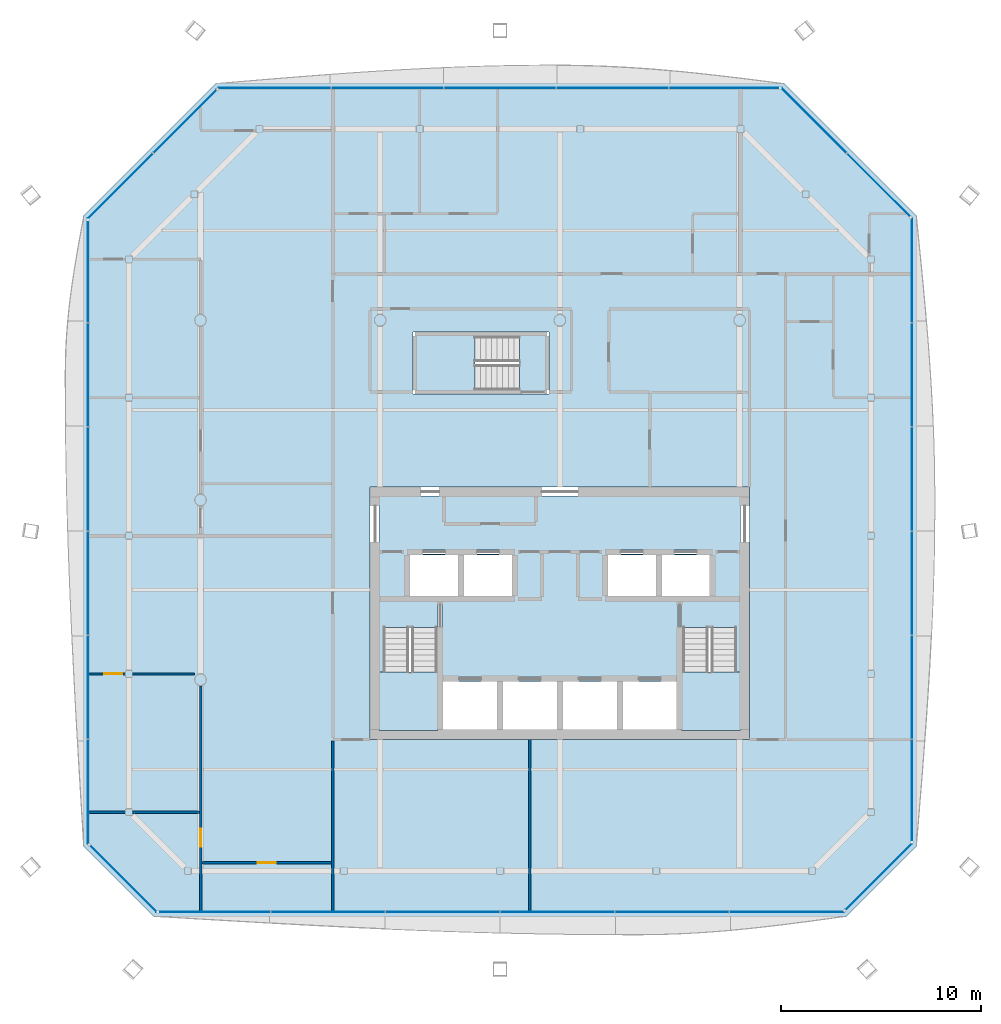
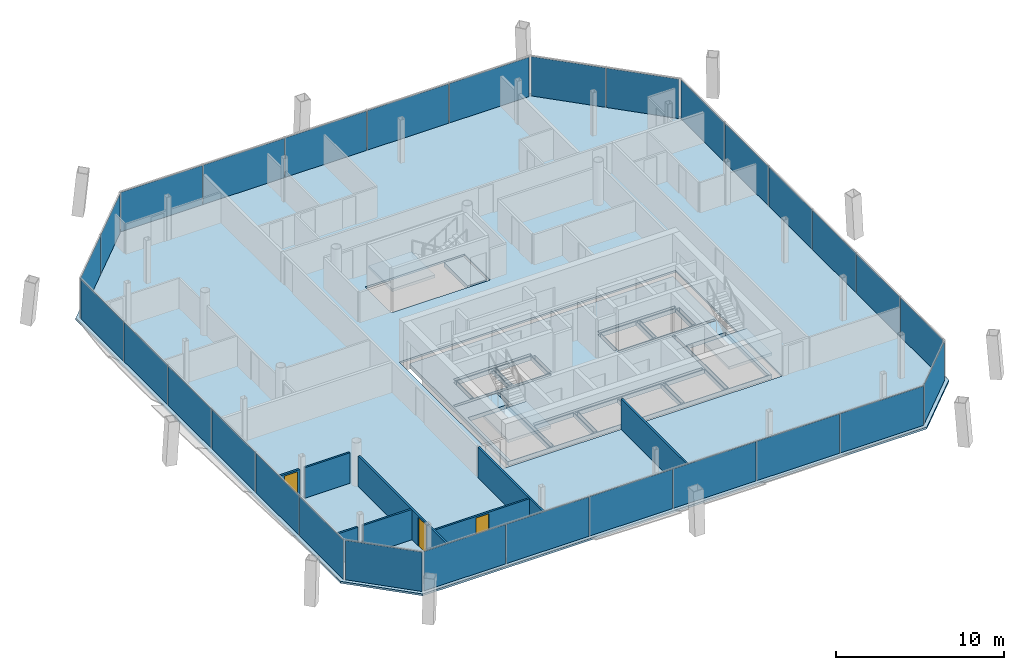
# One storey, part 13 of 20: 29 plates, 8 walls, 6 slabs, 3 doors, 3 openings, 11 elements without a shape of their own.
"""IFC4 building model written with IfcOpenShell, lengths in metres."""

from ifc_helpers import new_model, si_unit, direction, frame, frame_2d, origin, origin_2d, place, context, subcontext, project, spatial, polyline, rectangle, outline, extrude, material, layer, layer_set, type_object, element, fill, aggregate, save


model = new_model("IFC4")

# Units and contexts
model_context = context("Model", 3, precision=1e-05, world=origin(), true_north=direction((0.0, 1.0)))
body_context = subcontext(model_context, "Body", "Model", "MODEL_VIEW")
ifc_project = project(units=[si_unit("LENGTHUNIT", "METRE"), si_unit("AREAUNIT", "SQUARE_METRE"), si_unit("VOLUMEUNIT", "CUBIC_METRE"), si_unit("PLANEANGLEUNIT", "RADIAN"), si_unit("MASSUNIT", "GRAM", prefix="KILO")], contexts=[model_context])

# Site, building, storey
site_placement = place(None, origin())
site = spatial("IfcSite", under=ifc_project, at=site_placement, CompositionType="ELEMENT")
building_placement = place(site_placement, origin())
building = spatial("IfcBuilding", under=site, at=building_placement, Name="Tskaro Facet Tower", CompositionType="ELEMENT")
storey_placement = place(building_placement, frame((0.0, 0.0, 184.800048828125)))
storey = spatial("IfcBuildingStorey", under=building, at=storey_placement, Name="L46", CompositionType="ELEMENT", Elevation=184.800048828125)

# Slab
ifc_material_1 = material(Name="Concrete C30/37", Category="concrete")
ifc_layer_1 = layer(ifc_material_1, 0.139892578125, Name="Concrete C30/37")
ifc_layer_set_1 = layer_set([ifc_layer_1], Name="Concrete C30/37")
slab_type_1 = type_object("IfcSlabType", Name="Composite deck floor slab", PredefinedType="FLOOR", material=ifc_layer_set_1)
slab_1_placement = place(storey_placement, frame((0.0, 0.0, -0.14013671875)))
element("IfcSlab", 1, at=slab_1_placement, inside=storey, type_object=slab_type_1, Name="Floor slab FS3 L46", PredefinedType="FLOOR", context=body_context, shape_type="SweptSolid", body=[
    extrude(outline(polyline([(-20.31298828125, -20.8779296875), (14.31298828125, -20.8779296875), (17.8779296875, -17.31298828125), (17.8779296875, 14.2041015625), (11.2041015625, 20.8779296875), (-17.2041015625, 20.8779296875), (-23.8779296875, 14.2041015625), (-23.8779296875, -17.31298828125), (-20.31298828125, -20.8779296875)]), holes=[polyline([(-9.5, -12.0), (9.5, -12.0), (9.5, 0.64990234375), (-9.5, 0.64990234375), (-9.5, -12.0)]), polyline([(-7.35009765625, 5.300048828125), (-0.550048828125, 5.300048828125), (-0.550048828125, 8.39990234375), (-7.35009765625, 8.39990234375), (-7.35009765625, 5.300048828125)])]), origin(), (0.0, 0.0, 1.0), 0.14013671875),
])

# Curtain wall, plates
ifc_material_2 = material(Name="Bronze anodised aluminium 6063-T6", Category="aluminium")
curtain_wall_type = type_object("IfcCurtainWallType", Name="Bronze residence curtain wall (FW3)", PredefinedType="NOTDEFINED", material=ifc_material_2)
curtain_wall_1_placement = place(storey_placement, origin())
curtain_wall_1 = element("IfcCurtainWall", 2, at=curtain_wall_1_placement, inside=storey, type_object=curtain_wall_type, Name="FW3 south facet L46", PredefinedType="NOTDEFINED")
ifc_material_3 = material(Name="Bronze low-iron glass", Category="glass")
ifc_layer_2 = layer(ifc_material_3, 0.028076171875, Name="Bronze low-iron glass")
ifc_layer_set_2 = layer_set([ifc_layer_2], Name="Bronze low-iron glass")
plate_type = type_object("IfcPlateType", Name="FW3 bronze-tinted unit glazing 28", PredefinedType="CURTAIN_PANEL", material=ifc_layer_set_2)
plate_1_placement = place(storey_placement, frame((-17.283447265625, -20.6279296875, 0.0), z_axis=(0.0, 0.0, 1.0), x_axis=(1.0, 0.0, 0.0)))
plate_1 = element("IfcPlate", 3, at=plate_1_placement, type_object=plate_type, Name="FW3 south glazing 1.1", PredefinedType="CURTAIN_PANEL", context=body_context, shape_type="SweptSolid", body=[
    extrude(rectangle(XDim=5.5712890625, YDim=0.028076171875, at=origin_2d()), origin(), (0.0, 0.0, 1.0), 2.860107421875),
])
plate_2_placement = place(storey_placement, frame((-11.6044921875, -20.6279296875, 0.0), z_axis=(0.0, 0.0, 1.0), x_axis=(1.0, 0.0, 0.0)))
plate_2 = element("IfcPlate", 4, at=plate_2_placement, type_object=plate_type, Name="FW3 south glazing 2.1", PredefinedType="CURTAIN_PANEL", context=body_context, shape_type="SweptSolid", body=[
    extrude(rectangle(XDim=5.686279296875, YDim=0.028076171875, at=origin_2d()), origin(), (0.0, 0.0, 1.0), 2.860107421875),
])
plate_3_placement = place(storey_placement, frame((-5.8681640625, -20.6279296875, 0.0), z_axis=(0.0, 0.0, 1.0), x_axis=(1.0, 0.0, 0.0)))
plate_3 = element("IfcPlate", 5, at=plate_3_placement, type_object=plate_type, Name="FW3 south glazing 3.1", PredefinedType="CURTAIN_PANEL", context=body_context, shape_type="SweptSolid", body=[
    extrude(rectangle(XDim=5.686279296875, YDim=0.028076171875, at=origin_2d()), origin(), (0.0, 0.0, 1.0), 2.860107421875),
])
plate_4_placement = place(storey_placement, frame((-0.1318359375, -20.6279296875, 0.0), z_axis=(0.0, 0.0, 1.0), x_axis=(1.0, 0.0, 0.0)))
plate_4 = element("IfcPlate", 6, at=plate_4_placement, type_object=plate_type, Name="FW3 south glazing 4.1", PredefinedType="CURTAIN_PANEL", context=body_context, shape_type="SweptSolid", body=[
    extrude(rectangle(XDim=5.686279296875, YDim=0.028076171875, at=origin_2d()), origin(), (0.0, 0.0, 1.0), 2.860107421875),
])
plate_5_placement = place(storey_placement, frame((5.6044921875, -20.6279296875, 0.0), z_axis=(0.0, 0.0, 1.0), x_axis=(1.0, 0.0, 0.0)))
plate_5 = element("IfcPlate", 7, at=plate_5_placement, type_object=plate_type, Name="FW3 south glazing 5.1", PredefinedType="CURTAIN_PANEL", context=body_context, shape_type="SweptSolid", body=[
    extrude(rectangle(XDim=5.686279296875, YDim=0.028076171875, at=origin_2d()), origin(), (0.0, 0.0, 1.0), 2.860107421875),
])
plate_6_placement = place(storey_placement, frame((11.353271484375, -20.6279296875, 0.0), z_axis=(0.0, 0.0, 1.0), x_axis=(1.0, 0.0, 0.0)))
plate_6 = element("IfcPlate", 8, at=plate_6_placement, type_object=plate_type, Name="FW3 south glazing 6.1", PredefinedType="CURTAIN_PANEL", context=body_context, shape_type="SweptSolid", body=[
    extrude(rectangle(XDim=5.71142578125, YDim=0.028076171875, at=origin_2d()), origin(), (0.0, 0.0, 1.0), 2.860107421875),
])
aggregate(curtain_wall_1, [plate_1, plate_2, plate_3, plate_4, plate_5, plate_6])

# Curtain wall, plate
curtain_wall_2_placement = place(storey_placement, origin())
curtain_wall_2 = element("IfcCurtainWall", 9, at=curtain_wall_2_placement, inside=storey, type_object=curtain_wall_type, Name="FW3 south-east facet L46", PredefinedType="NOTDEFINED")
plate_7_placement = place(storey_placement, frame((15.968017578125, -18.868896484375, 0.0), z_axis=(0.0, 0.0, 1.0), x_axis=(0.707106781187, 0.707106781187, 0.0)))
plate_7 = element("IfcPlate", 10, at=plate_7_placement, type_object=plate_type, Name="FW3 south-east glazing 1.1", PredefinedType="CURTAIN_PANEL", context=body_context, shape_type="SweptSolid", body=[
    extrude(rectangle(XDim=4.6953125, YDim=0.028076171875, at=origin_2d()), origin(), (0.0, 0.0, 1.0), 2.860107421875),
])
aggregate(curtain_wall_2, [plate_7])

# Curtain wall, plates
curtain_wall_3_placement = place(storey_placement, origin())
curtain_wall_3 = element("IfcCurtainWall", 11, at=curtain_wall_3_placement, inside=storey, type_object=curtain_wall_type, Name="FW3 east facet L46", PredefinedType="NOTDEFINED")
plate_8_placement = place(storey_placement, frame((17.6279296875, -14.54248046875, 0.0), z_axis=(0.0, 0.0, 1.0), x_axis=(0.0, 1.0, 0.0)))
plate_8 = element("IfcPlate", 12, at=plate_8_placement, type_object=plate_type, Name="FW3 east glazing 1.1", PredefinedType="CURTAIN_PANEL", context=body_context, shape_type="SweptSolid", body=[
    extrude(rectangle(XDim=5.05322265625, YDim=0.028076171875, at=origin_2d()), origin(), (0.0, 0.0, 1.0), 2.860107421875),
])
plate_9_placement = place(storey_placement, frame((17.6279296875, -9.3818359375, 0.0), z_axis=(0.0, 0.0, 1.0), x_axis=(0.0, 1.0, 0.0)))
plate_9 = element("IfcPlate", 13, at=plate_9_placement, type_object=plate_type, Name="FW3 east glazing 2.1", PredefinedType="CURTAIN_PANEL", context=body_context, shape_type="SweptSolid", body=[
    extrude(rectangle(XDim=5.168212890625, YDim=0.028076171875, at=origin_2d()), origin(), (0.0, 0.0, 1.0), 2.860107421875),
])
plate_10_placement = place(storey_placement, frame((17.6279296875, -4.16357421875, 0.0), z_axis=(0.0, 0.0, 1.0), x_axis=(0.0, 1.0, 0.0)))
plate_10 = element("IfcPlate", 14, at=plate_10_placement, type_object=plate_type, Name="FW3 east glazing 3.1", PredefinedType="CURTAIN_PANEL", context=body_context, shape_type="SweptSolid", body=[
    extrude(rectangle(XDim=5.168212890625, YDim=0.028076171875, at=origin_2d()), origin(), (0.0, 0.0, 1.0), 2.860107421875),
])
plate_11_placement = place(storey_placement, frame((17.6279296875, 1.0546875, 0.0), z_axis=(0.0, 0.0, 1.0), x_axis=(0.0, 1.0, 0.0)))
plate_11 = element("IfcPlate", 15, at=plate_11_placement, type_object=plate_type, Name="FW3 east glazing 4.1", PredefinedType="CURTAIN_PANEL", context=body_context, shape_type="SweptSolid", body=[
    extrude(rectangle(XDim=5.168212890625, YDim=0.028076171875, at=origin_2d()), origin(), (0.0, 0.0, 1.0), 2.860107421875),
])
plate_12_placement = place(storey_placement, frame((17.6279296875, 6.272705078125, 0.0), z_axis=(0.0, 0.0, 1.0), x_axis=(0.0, 1.0, 0.0)))
plate_12 = element("IfcPlate", 16, at=plate_12_placement, type_object=plate_type, Name="FW3 east glazing 5.1", PredefinedType="CURTAIN_PANEL", context=body_context, shape_type="SweptSolid", body=[
    extrude(rectangle(XDim=5.168212890625, YDim=0.028076171875, at=origin_2d()), origin(), (0.0, 0.0, 1.0), 2.860107421875),
])
plate_13_placement = place(storey_placement, frame((17.6279296875, 11.50341796875, 0.0), z_axis=(0.0, 0.0, 1.0), x_axis=(0.0, 1.0, 0.0)))
plate_13 = element("IfcPlate", 17, at=plate_13_placement, type_object=plate_type, Name="FW3 east glazing 6.1", PredefinedType="CURTAIN_PANEL", context=body_context, shape_type="SweptSolid", body=[
    extrude(rectangle(XDim=5.193115234375, YDim=0.028076171875, at=origin_2d()), origin(), (0.0, 0.0, 1.0), 2.860107421875),
])
aggregate(curtain_wall_3, [plate_8, plate_9, plate_10, plate_11, plate_12, plate_13])

curtain_wall_4_placement = place(storey_placement, origin())
curtain_wall_4 = element("IfcCurtainWall", 18, at=curtain_wall_4_placement, inside=storey, type_object=curtain_wall_type, Name="FW3 north-east facet L46", PredefinedType="NOTDEFINED")
plate_14_placement = place(storey_placement, frame((15.955322265625, 15.772705078125, 0.0), z_axis=(0.0, 0.0, 1.0), x_axis=(-0.707106781187, 0.707106781187, 0.0)))
plate_14 = element("IfcPlate", 19, at=plate_14_placement, type_object=plate_type, Name="FW3 north-east glazing 1.1", PredefinedType="CURTAIN_PANEL", context=body_context, shape_type="SweptSolid", body=[
    extrude(rectangle(XDim=4.450927734375, YDim=0.028076171875, at=origin_2d()), origin(), (0.0, 0.0, 1.0), 2.860107421875),
])
plate_15_placement = place(storey_placement, frame((12.72314453125, 19.0048828125, 0.0), z_axis=(0.0, 0.0, 1.0), x_axis=(-0.707106781187, 0.707106781187, 0.0)))
plate_15 = element("IfcPlate", 20, at=plate_15_placement, type_object=plate_type, Name="FW3 north-east glazing 2.1", PredefinedType="CURTAIN_PANEL", context=body_context, shape_type="SweptSolid", body=[
    extrude(rectangle(XDim=4.591064453125, YDim=0.028076171875, at=origin_2d()), origin(), (0.0, 0.0, 1.0), 2.860107421875),
])
aggregate(curtain_wall_4, [plate_14, plate_15])

curtain_wall_5_placement = place(storey_placement, origin())
curtain_wall_5 = element("IfcCurtainWall", 21, at=curtain_wall_5_placement, inside=storey, type_object=curtain_wall_type, Name="FW3 north facet L46", PredefinedType="NOTDEFINED")
plate_16_placement = place(storey_placement, frame((8.222412109375, 20.6279296875, 0.0), z_axis=(0.0, 0.0, 1.0), x_axis=(-1.0, 0.0, 0.0)))
plate_16 = element("IfcPlate", 22, at=plate_16_placement, type_object=plate_type, Name="FW3 north glazing 1.1", PredefinedType="CURTAIN_PANEL", context=body_context, shape_type="SweptSolid", body=[
    extrude(rectangle(XDim=5.47509765625, YDim=0.028076171875, at=origin_2d()), origin(), (0.0, 0.0, 1.0), 2.860107421875),
])
plate_17_placement = place(storey_placement, frame((2.639892578125, 20.6279296875, 0.0), z_axis=(0.0, 0.0, 1.0), x_axis=(-1.0, 0.0, 0.0)))
plate_17 = element("IfcPlate", 23, at=plate_17_placement, type_object=plate_type, Name="FW3 north glazing 2.1", PredefinedType="CURTAIN_PANEL", context=body_context, shape_type="SweptSolid", body=[
    extrude(rectangle(XDim=5.590087890625, YDim=0.028076171875, at=origin_2d()), origin(), (0.0, 0.0, 1.0), 2.860107421875),
])
plate_18_placement = place(storey_placement, frame((-3.0, 20.6279296875, 0.0), z_axis=(0.0, 0.0, 1.0), x_axis=(-1.0, 0.0, 0.0)))
plate_18 = element("IfcPlate", 24, at=plate_18_placement, type_object=plate_type, Name="FW3 north glazing 3.1", PredefinedType="CURTAIN_PANEL", context=body_context, shape_type="SweptSolid", body=[
    extrude(rectangle(XDim=5.590087890625, YDim=0.028076171875, at=origin_2d()), origin(), (0.0, 0.0, 1.0), 2.860107421875),
])
plate_19_placement = place(storey_placement, frame((-8.639892578125, 20.6279296875, 0.0), z_axis=(0.0, 0.0, 1.0), x_axis=(-1.0, 0.0, 0.0)))
plate_19 = element("IfcPlate", 25, at=plate_19_placement, type_object=plate_type, Name="FW3 north glazing 4.1", PredefinedType="CURTAIN_PANEL", context=body_context, shape_type="SweptSolid", body=[
    extrude(rectangle(XDim=5.590087890625, YDim=0.028076171875, at=origin_2d()), origin(), (0.0, 0.0, 1.0), 2.860107421875),
])
plate_20_placement = place(storey_placement, frame((-14.29248046875, 20.6279296875, 0.0), z_axis=(0.0, 0.0, 1.0), x_axis=(-1.0, 0.0, 0.0)))
plate_20 = element("IfcPlate", 26, at=plate_20_placement, type_object=plate_type, Name="FW3 north glazing 5.1", PredefinedType="CURTAIN_PANEL", context=body_context, shape_type="SweptSolid", body=[
    extrude(rectangle(XDim=5.614990234375, YDim=0.028076171875, at=origin_2d()), origin(), (0.0, 0.0, 1.0), 2.860107421875),
])
aggregate(curtain_wall_5, [plate_16, plate_17, plate_18, plate_19, plate_20])

curtain_wall_6_placement = place(storey_placement, origin())
curtain_wall_6 = element("IfcCurtainWall", 27, at=curtain_wall_6_placement, inside=storey, type_object=curtain_wall_type, Name="FW3 north-west facet L46", PredefinedType="NOTDEFINED")
plate_21_placement = place(storey_placement, frame((-18.772705078125, 18.955322265625, 0.0), z_axis=(0.0, 0.0, 1.0), x_axis=(-0.707106781187, -0.707106781187, 0.0)))
plate_21 = element("IfcPlate", 28, at=plate_21_placement, type_object=plate_type, Name="FW3 north-west glazing 1.1", PredefinedType="CURTAIN_PANEL", context=body_context, shape_type="SweptSolid", body=[
    extrude(rectangle(XDim=4.450927734375, YDim=0.028076171875, at=origin_2d()), origin(), (0.0, 0.0, 1.0), 2.860107421875),
])
plate_22_placement = place(storey_placement, frame((-22.0048828125, 15.72314453125, 0.0), z_axis=(0.0, 0.0, 1.0), x_axis=(-0.707106781187, -0.707106781187, 0.0)))
plate_22 = element("IfcPlate", 29, at=plate_22_placement, type_object=plate_type, Name="FW3 north-west glazing 2.1", PredefinedType="CURTAIN_PANEL", context=body_context, shape_type="SweptSolid", body=[
    extrude(rectangle(XDim=4.591064453125, YDim=0.028076171875, at=origin_2d()), origin(), (0.0, 0.0, 1.0), 2.860107421875),
])
aggregate(curtain_wall_6, [plate_21, plate_22])

curtain_wall_7_placement = place(storey_placement, origin())
curtain_wall_7 = element("IfcCurtainWall", 30, at=curtain_wall_7_placement, inside=storey, type_object=curtain_wall_type, Name="FW3 west facet L46", PredefinedType="NOTDEFINED")
plate_23_placement = place(storey_placement, frame((-23.6279296875, 11.433349609375, 0.0), z_axis=(0.0, 0.0, 1.0), x_axis=(0.0, -1.0, 0.0)))
plate_23 = element("IfcPlate", 31, at=plate_23_placement, type_object=plate_type, Name="FW3 west glazing 1.1", PredefinedType="CURTAIN_PANEL", context=body_context, shape_type="SweptSolid", body=[
    extrude(rectangle(XDim=5.05322265625, YDim=0.028076171875, at=origin_2d()), origin(), (0.0, 0.0, 1.0), 2.860107421875),
])
plate_24_placement = place(storey_placement, frame((-23.6279296875, 6.272705078125, 0.0), z_axis=(0.0, 0.0, 1.0), x_axis=(0.0, -1.0, 0.0)))
plate_24 = element("IfcPlate", 32, at=plate_24_placement, type_object=plate_type, Name="FW3 west glazing 2.1", PredefinedType="CURTAIN_PANEL", context=body_context, shape_type="SweptSolid", body=[
    extrude(rectangle(XDim=5.168212890625, YDim=0.028076171875, at=origin_2d()), origin(), (0.0, 0.0, 1.0), 2.860107421875),
])
plate_25_placement = place(storey_placement, frame((-23.6279296875, 1.0546875, 0.0), z_axis=(0.0, 0.0, 1.0), x_axis=(0.0, -1.0, 0.0)))
plate_25 = element("IfcPlate", 33, at=plate_25_placement, type_object=plate_type, Name="FW3 west glazing 3.1", PredefinedType="CURTAIN_PANEL", context=body_context, shape_type="SweptSolid", body=[
    extrude(rectangle(XDim=5.168212890625, YDim=0.028076171875, at=origin_2d()), origin(), (0.0, 0.0, 1.0), 2.860107421875),
])
plate_26_placement = place(storey_placement, frame((-23.6279296875, -4.16357421875, 0.0), z_axis=(0.0, 0.0, 1.0), x_axis=(0.0, -1.0, 0.0)))
plate_26 = element("IfcPlate", 34, at=plate_26_placement, type_object=plate_type, Name="FW3 west glazing 4.1", PredefinedType="CURTAIN_PANEL", context=body_context, shape_type="SweptSolid", body=[
    extrude(rectangle(XDim=5.168212890625, YDim=0.028076171875, at=origin_2d()), origin(), (0.0, 0.0, 1.0), 2.860107421875),
])
plate_27_placement = place(storey_placement, frame((-23.6279296875, -9.3818359375, 0.0), z_axis=(0.0, 0.0, 1.0), x_axis=(0.0, -1.0, 0.0)))
plate_27 = element("IfcPlate", 35, at=plate_27_placement, type_object=plate_type, Name="FW3 west glazing 5.1", PredefinedType="CURTAIN_PANEL", context=body_context, shape_type="SweptSolid", body=[
    extrude(rectangle(XDim=5.168212890625, YDim=0.028076171875, at=origin_2d()), origin(), (0.0, 0.0, 1.0), 2.860107421875),
])
plate_28_placement = place(storey_placement, frame((-23.6279296875, -14.6123046875, 0.0), z_axis=(0.0, 0.0, 1.0), x_axis=(0.0, -1.0, 0.0)))
plate_28 = element("IfcPlate", 36, at=plate_28_placement, type_object=plate_type, Name="FW3 west glazing 6.1", PredefinedType="CURTAIN_PANEL", context=body_context, shape_type="SweptSolid", body=[
    extrude(rectangle(XDim=5.193115234375, YDim=0.028076171875, at=origin_2d()), origin(), (0.0, 0.0, 1.0), 2.860107421875),
])
aggregate(curtain_wall_7, [plate_23, plate_24, plate_25, plate_26, plate_27, plate_28])

# Curtain wall, plate
curtain_wall_8_placement = place(storey_placement, origin())
curtain_wall_8 = element("IfcCurtainWall", 37, at=curtain_wall_8_placement, inside=storey, type_object=curtain_wall_type, Name="FW3 south-west facet L46", PredefinedType="NOTDEFINED")
plate_29_placement = place(storey_placement, frame((-21.868896484375, -18.968017578125, 0.0), z_axis=(0.0, 0.0, 1.0), x_axis=(0.707106781187, -0.707106781187, 0.0)))
plate_29 = element("IfcPlate", 38, at=plate_29_placement, type_object=plate_type, Name="FW3 south-west glazing 1.1", PredefinedType="CURTAIN_PANEL", context=body_context, shape_type="SweptSolid", body=[
    extrude(rectangle(XDim=4.6953125, YDim=0.028076171875, at=origin_2d()), origin(), (0.0, 0.0, 1.0), 2.860107421875),
])
aggregate(curtain_wall_8, [plate_29])

# Stair, slab
ifc_material_4 = material(Name="Concrete C40/50", Category="concrete")
stair_type = type_object("IfcStairType", Name="ST-TWR", PredefinedType="HALF_TURN_STAIR", material=ifc_material_4)
stair_1_placement = place(storey_placement, origin())
stair_1 = element("IfcStair", 39, at=stair_1_placement, inside=storey, type_object=stair_type, Name="L46 Exit stair 1", PredefinedType="HALF_TURN_STAIR")
ifc_layer_3 = layer(ifc_material_4, 0.199951171875, Name="Concrete C40/50")
ifc_layer_set_3 = layer_set([ifc_layer_3], Name="Concrete C40/50")
slab_type_2 = type_object("IfcSlabType", Name="SL-LANDING", PredefinedType="LANDING", material=ifc_layer_set_3)
slab_2_placement = place(storey_placement, frame((0.0, 0.0, 1.375)))
slab_2 = element("IfcSlab", 40, at=slab_2_placement, type_object=slab_type_2, Name="ST-1 landing 1", PredefinedType="LANDING", context=body_context, shape_type="SweptSolid", body=[
    extrude(outline(polyline([(-9.050048828125, -11.550048828125), (-6.10009765625, -11.550048828125), (-6.10009765625, -8.614990234375), (-9.050048828125, -8.614990234375), (-9.050048828125, -11.550048828125)])), origin(), (0.0, 0.0, 1.0), 0.199951171875),
])
aggregate(stair_1, [slab_2])

stair_2_placement = place(storey_placement, origin())
stair_2 = element("IfcStair", 41, at=stair_2_placement, inside=storey, type_object=stair_type, Name="L46 Exit stair 2", PredefinedType="HALF_TURN_STAIR")
slab_3_placement = place(storey_placement, frame((0.0, 0.0, 1.375)))
slab_3 = element("IfcSlab", 42, at=slab_3_placement, type_object=slab_type_2, Name="ST-2 landing 1", PredefinedType="LANDING", context=body_context, shape_type="SweptSolid", body=[
    extrude(outline(polyline([(6.10009765625, -11.550048828125), (9.050048828125, -11.550048828125), (9.050048828125, -8.614990234375), (6.10009765625, -8.614990234375), (6.10009765625, -11.550048828125)])), origin(), (0.0, 0.0, 1.0), 0.199951171875),
])
aggregate(stair_2, [slab_3])

stair_3_placement = place(storey_placement, origin())
stair_3 = element("IfcStair", 43, at=stair_3_placement, inside=storey, type_object=stair_type, Name="L46 Exit stair 3", PredefinedType="HALF_TURN_STAIR")
slab_4_placement = place(storey_placement, frame((0.0, 0.0, 1.375)))
slab_4 = element("IfcSlab", 44, at=slab_4_placement, type_object=slab_type_2, Name="ST-3 landing 1", PredefinedType="LANDING", context=body_context, shape_type="SweptSolid", body=[
    extrude(outline(polyline([(-7.199951171875, 5.449951171875), (-4.264892578125, 5.449951171875), (-4.264892578125, 8.25), (-7.199951171875, 8.25), (-7.199951171875, 5.449951171875)])), origin(), (0.0, 0.0, 1.0), 0.199951171875),
])
aggregate(stair_3, [slab_4])

# Slabs
ifc_material_5 = material(Name="Concrete C60/75", Category="concrete")
ifc_layer_4 = layer(ifc_material_5, 0.300048828125, Name="Concrete C60/75")
ifc_layer_set_4 = layer_set([ifc_layer_4], Name="Concrete C60/75")
slab_type_3 = type_object("IfcSlabType", Name="SLAB-CORE", PredefinedType="FLOOR", material=ifc_layer_set_4)
slab_5_placement = place(storey_placement, frame((0.0, 0.0, -0.300048828125)))
element("IfcSlab", 45, at=slab_5_placement, inside=storey, type_object=slab_type_3, Name="Core floor slab 1", PredefinedType="FLOOR", context=body_context, shape_type="SweptSolid", body=[
    extrude(outline(polyline([(-9.050048828125, 0.199951171875), (9.050048828125, 0.199951171875), (9.050048828125, 0.10009765625), (9.050048828125, -11.449951171875), (9.050048828125, -11.550048828125), (-9.050048828125, -11.550048828125), (-9.050048828125, -11.449951171875), (-9.050048828125, 0.10009765625), (-9.050048828125, 0.199951171875)]), holes=[polyline([(-5.85009765625, -9.10009765625), (-5.85009765625, -11.5), (-3.14990234375, -11.5), (-3.14990234375, -9.10009765625), (-5.85009765625, -9.10009765625)]), polyline([(-3.10009765625, -11.449951171875), (-2.89990234375, -11.449951171875), (-2.89990234375, -9.14990234375), (-3.10009765625, -9.14990234375), (-3.10009765625, -11.449951171875)]), polyline([(-2.85009765625, -9.10009765625), (-2.85009765625, -11.5), (-0.14990234375, -11.5), (-0.14990234375, -9.10009765625), (-2.85009765625, -9.10009765625)]), polyline([(-6.10009765625, -11.449951171875), (-5.89990234375, -11.449951171875), (-5.89990234375, -5.14990234375), (-6.10009765625, -5.14990234375), (-6.10009765625, -11.449951171875)]), polyline([(-8.949951171875, -5.050048828125), (-2.300048828125, -5.050048828125), (-2.300048828125, -4.85009765625), (-8.949951171875, -4.85009765625), (-8.949951171875, -5.050048828125)]), polyline([(-7.75, -4.75), (-7.550048828125, -4.75), (-7.550048828125, -2.800048828125), (-7.75, -2.800048828125), (-7.75, -4.75)]), polyline([(-7.5, -2.75), (-7.5, -4.800048828125), (-5.10009765625, -4.800048828125), (-5.10009765625, -2.75), (-7.5, -2.75)]), polyline([(-5.050048828125, -4.75), (-4.85009765625, -4.75), (-4.85009765625, -2.800048828125), (-5.050048828125, -2.800048828125), (-5.050048828125, -4.75)]), polyline([(-2.39990234375, -2.75), (-4.800048828125, -2.75), (-4.800048828125, -4.800048828125), (-2.39990234375, -4.800048828125), (-2.39990234375, -2.75)]), polyline([(-2.35009765625, -4.75), (-2.14990234375, -4.75), (-2.14990234375, -2.800048828125), (-2.35009765625, -2.800048828125), (-2.35009765625, -4.75)]), polyline([(-7.60009765625, -2.699951171875), (-2.300048828125, -2.699951171875), (-2.300048828125, -2.5), (-7.60009765625, -2.5), (-7.60009765625, -2.699951171875)]), polyline([(-0.10009765625, -11.449951171875), (0.10009765625, -11.449951171875), (0.10009765625, -9.14990234375), (-0.10009765625, -9.14990234375), (-0.10009765625, -11.449951171875)]), polyline([(0.14990234375, -9.10009765625), (0.14990234375, -11.5), (2.85009765625, -11.5), (2.85009765625, -9.10009765625), (0.14990234375, -9.10009765625)]), polyline([(2.89990234375, -11.449951171875), (3.10009765625, -11.449951171875), (3.10009765625, -9.14990234375), (2.89990234375, -9.14990234375), (2.89990234375, -11.449951171875)]), polyline([(3.14990234375, -9.10009765625), (3.14990234375, -11.5), (5.85009765625, -11.5), (5.85009765625, -9.10009765625), (3.14990234375, -9.10009765625)]), polyline([(-5.800048828125, -9.050048828125), (5.800048828125, -9.050048828125), (5.800048828125, -8.85009765625), (-5.800048828125, -8.85009765625), (-5.800048828125, -9.050048828125)]), polyline([(5.89990234375, -11.449951171875), (6.10009765625, -11.449951171875), (6.10009765625, -5.14990234375), (5.89990234375, -5.14990234375), (5.89990234375, -11.449951171875)]), polyline([(2.300048828125, -5.050048828125), (8.949951171875, -5.050048828125), (8.949951171875, -4.85009765625), (2.300048828125, -4.85009765625), (2.300048828125, -5.050048828125)]), polyline([(2.14990234375, -4.75), (2.35009765625, -4.75), (2.35009765625, -2.800048828125), (2.14990234375, -2.800048828125), (2.14990234375, -4.75)]), polyline([(2.39990234375, -2.75), (2.39990234375, -4.800048828125), (4.800048828125, -4.800048828125), (4.800048828125, -2.75), (2.39990234375, -2.75)]), polyline([(4.85009765625, -4.75), (5.050048828125, -4.75), (5.050048828125, -2.800048828125), (4.85009765625, -2.800048828125), (4.85009765625, -4.75)]), polyline([(5.10009765625, -4.800048828125), (7.5, -4.800048828125), (7.5, -2.75), (5.10009765625, -2.75), (5.10009765625, -4.800048828125)]), polyline([(7.550048828125, -4.75), (7.75, -4.75), (7.75, -2.800048828125), (7.550048828125, -2.800048828125), (7.550048828125, -4.75)]), polyline([(2.300048828125, -2.699951171875), (7.60009765625, -2.699951171875), (7.60009765625, -2.5), (2.300048828125, -2.5), (2.300048828125, -2.699951171875)]), polyline([(-8.85009765625, -11.5), (-6.14990234375, -11.5), (-6.14990234375, -6.39501953125), (-8.85009765625, -6.39501953125), (-8.85009765625, -11.5)]), polyline([(6.14990234375, -6.39501953125), (6.14990234375, -11.5), (8.85009765625, -11.5), (8.85009765625, -6.39501953125), (6.14990234375, -6.39501953125)])]), origin(), (0.0, 0.0, 1.0), 0.300048828125),
])
slab_6_placement = place(storey_placement, frame((0.0, 0.0, -0.300048828125)))
element("IfcSlab", 46, at=slab_6_placement, inside=storey, type_object=slab_type_3, Name="Stair 3 floor landing 1", PredefinedType="FLOOR", context=body_context, shape_type="SweptSolid", body=[
    extrude(outline(polyline([(-2.02490234375, 5.449951171875), (-0.699951171875, 5.449951171875), (-0.699951171875, 8.25), (-2.02490234375, 8.25), (-2.02490234375, 5.449951171875)])), origin(), (0.0, 0.0, 1.0), 0.300048828125),
])

# Wall, opening, door
ifc_material_6 = material(Name="Gypsum board on steel studs", Category="steel")
ifc_layer_5 = layer(ifc_material_6, 0.125, Name="Gypsum board on steel studs")
ifc_layer_set_5 = layer_set([ifc_layer_5], Name="Gypsum board on steel studs")
wall_type = type_object("IfcWallType", Name="PART", PredefinedType="PARTITIONING", material=ifc_layer_set_5)
wall_1_placement = place(storey_placement, frame((-11.4375, -18.179931640625, 0.0), z_axis=(0.0, 0.0, 1.0), x_axis=(-1.0, 0.0, 0.0)))
wall_1 = element("IfcWall", 47, at=wall_1_placement, inside=storey, type_object=wall_type, Name="Partition W001", PredefinedType="PARTITIONING", context=body_context, shape_type="SweptSolid", body=[
    extrude(rectangle(XDim=6.5, YDim=0.125, at=frame_2d((3.25, 0.0))), origin(), (0.0, 0.0, 1.0), 2.2099609375),
])
opening_1_placement = place(wall_1_placement, frame((2.800048828125, 0.0, 0.0)))
opening_1 = element("IfcOpeningElement", 48, at=opening_1_placement, cuts=wall_1, Name="Opening T13-D01", PredefinedType="OPENING", context=body_context, shape_type="SweptSolid", body=[
    extrude(rectangle(XDim=0.89990234375, YDim=2.10009765625, at=frame_2d((0.449951171875, 1.050048828125))), frame((0.0, 0.072509765625, 0.0), z_axis=(0.0, -1.0, 0.0), x_axis=(1.0, 0.0, 0.0)), (0.0, 0.0, 1.0), 0.14501953125),
])
ifc_material_7 = material(Name="Timber", Category="wood")
door_type = type_object("IfcDoorType", Name="D-ROOM", OperationType="NOTDEFINED", PredefinedType="DOOR", material=ifc_material_7)
door_1_placement = place(opening_1_placement, origin())
door_1 = element("IfcDoor", 49, at=door_1_placement, inside=storey, type_object=door_type, Name="Door T13-D01", OperationType="SINGLE_SWING_RIGHT", OverallHeight=2.10009765625, OverallWidth=0.89990234375, PredefinedType="DOOR", context=body_context, shape_type="SweptSolid", body=[
    extrude(rectangle(XDim=0.89990234375, YDim=2.10009765625, at=frame_2d((0.449951171875, 1.050048828125))), frame((0.0, 0.02490234375, 0.0), z_axis=(0.0, -1.0, 0.0), x_axis=(1.0, 0.0, 0.0)), (0.0, 0.0, 1.0), 0.050048828125),
])
fill(opening_1, door_1)

# Walls
wall_2_placement = place(storey_placement, frame((-23.577880859375, -15.635009765625, 0.0), z_axis=(0.0, 0.0, 1.0), x_axis=(1.0, 0.0, 0.0)))
element("IfcWall", 50, at=wall_2_placement, inside=storey, type_object=wall_type, Name="Partition W002", PredefinedType="PARTITIONING", context=body_context, shape_type="SweptSolid", body=[
    extrude(rectangle(XDim=1.81982421875, YDim=0.125, at=frame_2d((0.909912109375, 0.0))), origin(), (0.0, 0.0, 1.0), 2.2099609375),
])
wall_3_placement = place(storey_placement, frame((-21.407958984375, -15.635009765625, 0.0), z_axis=(0.0, 0.0, 1.0), x_axis=(1.0, 0.0, 0.0)))
element("IfcWall", 51, at=wall_3_placement, inside=storey, type_object=wall_type, Name="Partition W003", PredefinedType="PARTITIONING", context=body_context, shape_type="SweptSolid", body=[
    extrude(rectangle(XDim=3.345458984375, YDim=0.125, at=frame_2d((1.6728515625, 0.0))), origin(), (0.0, 0.0, 1.0), 2.2099609375),
])

# Wall, opening, door
wall_4_placement = place(storey_placement, frame((-21.758056640625, -8.715087890625, 0.0), z_axis=(0.0, 0.0, 1.0), x_axis=(-1.0, 0.0, 0.0)))
wall_4 = element("IfcWall", 52, at=wall_4_placement, inside=storey, type_object=wall_type, Name="Partition W008", PredefinedType="PARTITIONING", context=body_context, shape_type="SweptSolid", body=[
    extrude(rectangle(XDim=1.81982421875, YDim=0.125, at=frame_2d((0.909912109375, 0.0))), origin(), (0.0, 0.0, 1.0), 2.2099609375),
])
opening_2_placement = place(wall_4_placement, frame((0.14990234375, 0.0, 0.0)))
opening_2 = element("IfcOpeningElement", 53, at=opening_2_placement, cuts=wall_4, Name="Opening T13-D05", PredefinedType="OPENING", context=body_context, shape_type="SweptSolid", body=[
    extrude(rectangle(XDim=0.89990234375, YDim=2.10009765625, at=frame_2d((0.449951171875, 1.050048828125))), frame((0.0, 0.072509765625, 0.0), z_axis=(0.0, -1.0, 0.0), x_axis=(1.0, 0.0, 0.0)), (0.0, 0.0, 1.0), 0.14501953125),
])
door_2_placement = place(opening_2_placement, origin())
door_2 = element("IfcDoor", 54, at=door_2_placement, inside=storey, type_object=door_type, Name="Door T13-D05", OperationType="SINGLE_SWING_RIGHT", OverallHeight=2.10009765625, OverallWidth=0.89990234375, PredefinedType="DOOR", context=body_context, shape_type="SweptSolid", body=[
    extrude(rectangle(XDim=0.89990234375, YDim=2.10009765625, at=frame_2d((0.449951171875, 1.050048828125))), frame((0.0, 0.02490234375, 0.0), z_axis=(0.0, -1.0, 0.0), x_axis=(1.0, 0.0, 0.0)), (0.0, 0.0, 1.0), 0.050048828125),
])
fill(opening_2, door_2)

# Wall
wall_5_placement = place(storey_placement, frame((-21.407958984375, -8.715087890625, 0.0), z_axis=(0.0, 0.0, 1.0), x_axis=(1.0, 0.0, 0.0)))
element("IfcWall", 55, at=wall_5_placement, inside=storey, type_object=wall_type, Name="Partition W009", PredefinedType="PARTITIONING", context=body_context, shape_type="SweptSolid", body=[
    extrude(rectangle(XDim=3.10302734375, YDim=0.125, at=frame_2d((1.551513671875, 0.0))), origin(), (0.0, 0.0, 1.0), 2.2099609375),
])

# Wall, opening, door
wall_6_placement = place(storey_placement, frame((-18.0, -20.577880859375, 0.0), z_axis=(0.0, 0.0, 1.0), x_axis=(0.0, 1.0, 0.0)))
wall_6 = element("IfcWall", 56, at=wall_6_placement, inside=storey, type_object=wall_type, Name="Partition W045", PredefinedType="PARTITIONING", context=body_context, shape_type="SweptSolid", body=[
    extrude(rectangle(XDim=11.27294921875, YDim=0.125, at=frame_2d((5.636474609375, 0.0))), origin(), (0.0, 0.0, 1.0), 2.2099609375),
])
opening_3_placement = place(wall_6_placement, frame((3.220458984375, 0.0, 0.0)))
opening_3 = element("IfcOpeningElement", 57, at=opening_3_placement, cuts=wall_6, Name="Opening T13-D02", PredefinedType="OPENING", context=body_context, shape_type="SweptSolid", body=[
    extrude(rectangle(XDim=0.89990234375, YDim=2.10009765625, at=frame_2d((0.449951171875, 1.050048828125))), frame((0.0, 0.072509765625, 0.0), z_axis=(0.0, -1.0, 0.0), x_axis=(1.0, 0.0, 0.0)), (0.0, 0.0, 1.0), 0.14501953125),
])
door_3_placement = place(opening_3_placement, origin())
door_3 = element("IfcDoor", 58, at=door_3_placement, inside=storey, type_object=door_type, Name="Door T13-D02", OperationType="SINGLE_SWING_RIGHT", OverallHeight=2.10009765625, OverallWidth=0.89990234375, PredefinedType="DOOR", context=body_context, shape_type="SweptSolid", body=[
    extrude(rectangle(XDim=0.89990234375, YDim=2.10009765625, at=frame_2d((0.449951171875, 1.050048828125))), frame((0.0, 0.02490234375, 0.0), z_axis=(0.0, -1.0, 0.0), x_axis=(1.0, 0.0, 0.0)), (0.0, 0.0, 1.0), 0.050048828125),
])
fill(opening_3, door_3)

# Walls
wall_7_placement = place(storey_placement, frame((-11.375, -20.577880859375, 0.0), z_axis=(0.0, 0.0, 1.0), x_axis=(0.0, 1.0, 0.0)))
element("IfcWall", 59, at=wall_7_placement, inside=storey, type_object=wall_type, Name="Partition W050", PredefinedType="PARTITIONING", context=body_context, shape_type="SweptSolid", body=[
    extrude(rectangle(XDim=8.5029296875, YDim=0.125, at=frame_2d((4.25146484375, 0.0))), origin(), (0.0, 0.0, 1.0), 2.2099609375),
])
wall_8_placement = place(storey_placement, frame((-1.5, -20.577880859375, 0.0), z_axis=(0.0, 0.0, 1.0), x_axis=(0.0, 1.0, 0.0)))
element("IfcWall", 60, at=wall_8_placement, inside=storey, type_object=wall_type, Name="Partition W065", PredefinedType="PARTITIONING", context=body_context, shape_type="SweptSolid", body=[
    extrude(rectangle(XDim=8.577880859375, YDim=0.125, at=frame_2d((4.2890625, 0.0))), origin(), (0.0, 0.0, 1.0), 2.2099609375),
])

save(model, "model.ifc")
